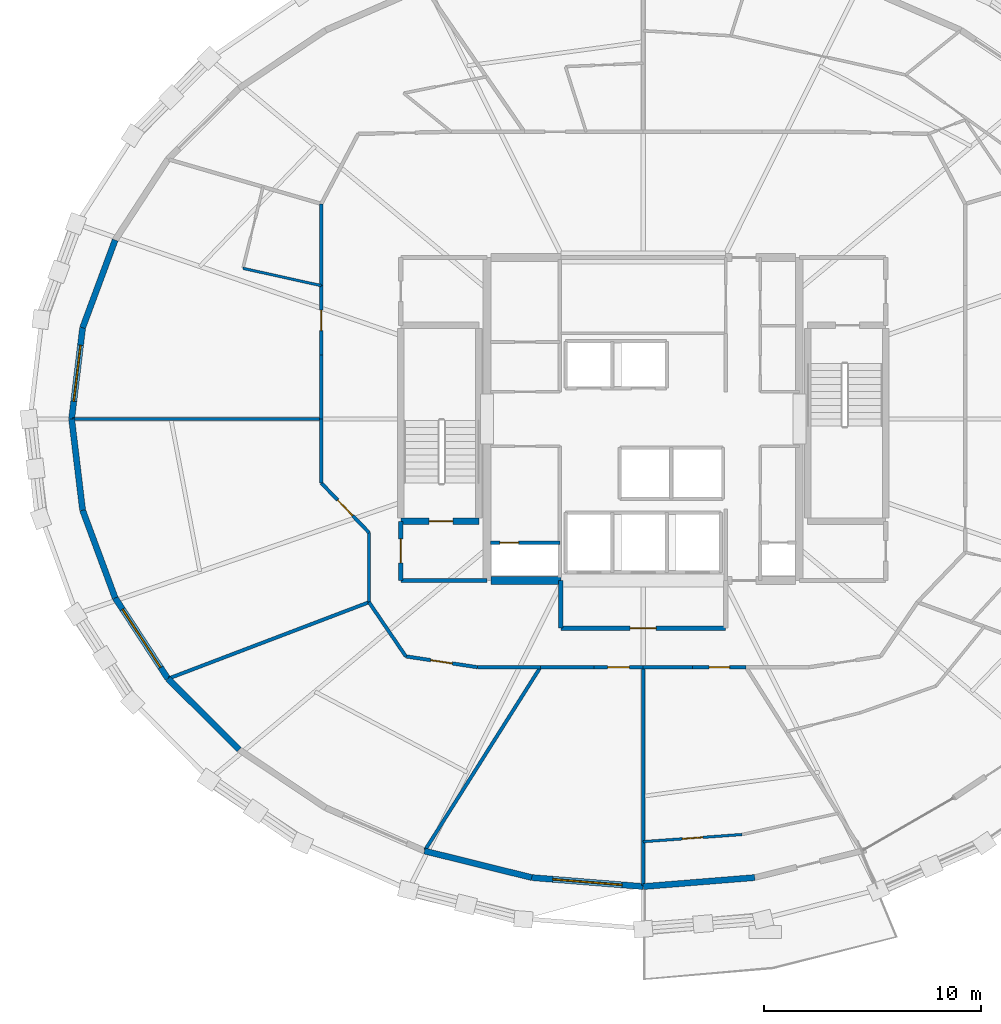
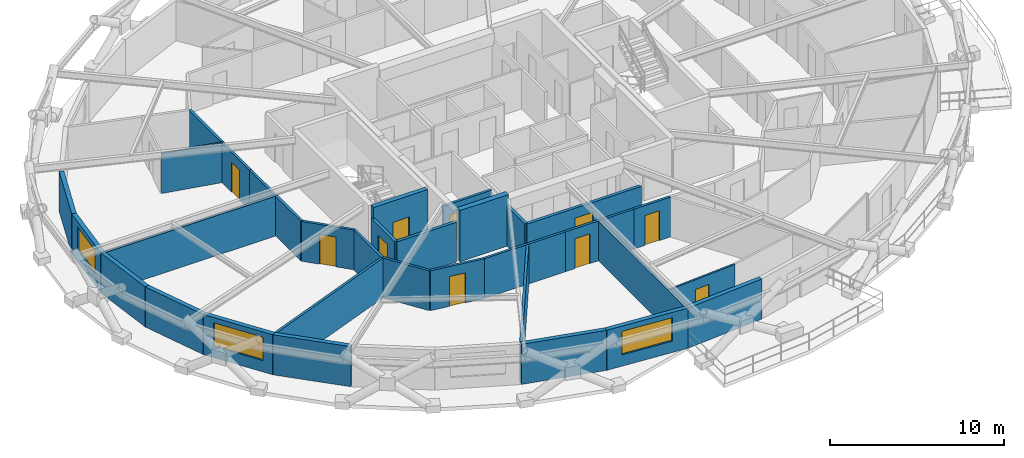
# One storey, part 9 of 14: 35 walls, 10 doors, 3 windows, 13 openings.
"""IFC4 building model written with IfcOpenShell, lengths in metres."""

import ifcopenshell
import ifcopenshell.guid

model = None  # the IFC model being written
_history = None  # IfcOwnerHistory: only IFC2X3 demands one
_inside = {}  # id of a spatial element -> (the spatial element, [elements in it])
_under = {}  # id of a project, library or spatial element -> (it, [spatial elements below it])
_declared = {}  # id of a project -> (the project, [libraries it declares])
_typed = {}  # id of a type object -> (the type object, [elements of that type])
_made_of = {}  # id of a material, layer set ... -> (it, [elements and type objects made of it])


def new_model(schema):
    """Start an empty IFC model of exactly this schema.

    Asked for "IFC4X3", IfcOpenShell would pick the latest addendum, in which some entities
    have other attributes; the version numbers below select the first issue.
    IFC2X3 requires an IfcOwnerHistory on every rooted entity: one is made here for all.
    """
    global model, _history
    if schema == "IFC4X3":
        model = ifcopenshell.file(schema_version=(4, 3, 0, 0))
    else:
        model = ifcopenshell.file(schema=schema)
    _inside.clear()
    _under.clear()
    _declared.clear()
    _typed.clear()
    _made_of.clear()
    _history = None
    if model.schema == "IFC2X3":
        org = make("IfcOrganization", Name="unknown")
        user = make(
            "IfcPersonAndOrganization",
            ThePerson=make("IfcPerson", FamilyName="unknown"),
            TheOrganization=org,
        )
        app = make(
            "IfcApplication",
            ApplicationDeveloper=org,
            Version="unknown",
            ApplicationFullName="unknown",
            ApplicationIdentifier="unknown",
        )
        _history = make(
            "IfcOwnerHistory",
            OwningUser=user,
            OwningApplication=app,
            ChangeAction="ADDED",
            CreationDate=0,
        )
    return model


def make(cls, **values):
    """One entity of the class cls with the attributes given. An attribute that is None is left unset."""
    return model.create_entity(
        cls, **{name: value for name, value in values.items() if value is not None}
    )


def rooted(cls, **values):
    """An entity with a GlobalId (a new one), such as an element, a storey or a relation."""
    return make(cls, GlobalId=ifcopenshell.guid.new(), OwnerHistory=_history, **values)


def si_unit(unit_type, name, prefix=None):
    """IfcSIUnit, for example si_unit("LENGTHUNIT", "METRE", prefix="MILLI")."""
    return make("IfcSIUnit", UnitType=unit_type, Prefix=prefix, Name=name)


def assignment(units):
    """IfcUnitAssignment: the units of a project."""
    return None if units is None else make("IfcUnitAssignment", Units=units)


def point(xyz):
    """IfcCartesianPoint."""
    return None if xyz is None else make("IfcCartesianPoint", Coordinates=xyz)


def direction(xyz):
    """IfcDirection."""
    return None if xyz is None else make("IfcDirection", DirectionRatios=xyz)


def frame(location, z_axis=None, x_axis=None):
    """IfcAxis2Placement3D, a coordinate frame: its origin and axes. An axis left out is left unset."""
    return make(
        "IfcAxis2Placement3D",
        Location=point(location),
        Axis=direction(z_axis),
        RefDirection=direction(x_axis),
    )


def frame_2d(location, x_axis=None):
    """IfcAxis2Placement2D, a coordinate frame in the plane: its origin and x axis."""
    return make(
        "IfcAxis2Placement2D", Location=point(location), RefDirection=direction(x_axis)
    )


def origin():
    """The frame at (0, 0, 0) with its axes left unset."""
    return frame((0.0, 0.0, 0.0))


def place(relative_to, where):
    """IfcLocalPlacement: puts the frame where relative to a parent placement (None: the world)."""
    return make(
        "IfcLocalPlacement", PlacementRelTo=relative_to, RelativePlacement=where
    )


def context(
    kind, dimensions, precision=None, world=None, true_north=None, identifier=None
):
    """IfcGeometricRepresentationContext, for example the 3D "Model" context."""
    return make(
        "IfcGeometricRepresentationContext",
        ContextIdentifier=identifier,
        ContextType=kind,
        CoordinateSpaceDimension=dimensions,
        Precision=precision,
        WorldCoordinateSystem=world,
        TrueNorth=true_north,
    )


def subcontext(parent, identifier, kind, view, scale=None):
    """IfcGeometricRepresentationSubContext, for example "Body" below "Model"."""
    return make(
        "IfcGeometricRepresentationSubContext",
        ContextIdentifier=identifier,
        ContextType=kind,
        ParentContext=parent,
        TargetScale=scale,
        TargetView=view,
    )


def project(units=None, contexts=None):
    """IfcProject with its units and contexts."""
    return rooted(
        "IfcProject",
        Name="project",
        RepresentationContexts=contexts,
        UnitsInContext=assignment(units),
    )


def spatial(cls, under=None, at=None, **own):
    """A site, building, storey or space (cls), placed at a placement, below another one or the project."""
    s = rooted(cls, ObjectPlacement=at, **own)
    if under is not None:
        _under.setdefault(under.id(), (under, []))[1].append(s)
    return s


def profile(cls, at=None, kind="AREA", **sizes):
    """A parametric profile (cls). Its sizes go by their IFC names, for example OverallWidth=200.0."""
    return make(cls, ProfileType=kind, Position=at, **sizes)


def rectangle(**sizes):
    """IfcRectangleProfileDef."""
    return profile("IfcRectangleProfileDef", **sizes)


def extrude(swept, where, along, depth):
    """IfcExtrudedAreaSolid: the profile swept, set in the frame where, extruded along a direction by depth."""
    return make(
        "IfcExtrudedAreaSolid",
        SweptArea=swept,
        Position=where,
        ExtrudedDirection=direction(along),
        Depth=depth,
    )


def shape(context_of_items, identifier, shape_type, items):
    """IfcShapeRepresentation: the items that make up one representation, for example the "Body"."""
    return make(
        "IfcShapeRepresentation",
        ContextOfItems=context_of_items,
        RepresentationIdentifier=identifier,
        RepresentationType=shape_type,
        Items=items,
    )


def material(Name=None, Category=None):
    """IfcMaterial."""
    return make("IfcMaterial", Name=Name, Category=Category)


def layer(
    of_material, thickness, ventilated=None, Name=None, Category=None, Priority=None
):
    """IfcMaterialLayer: one layer of a wall or slab, of a material (None: an air gap)."""
    return make(
        "IfcMaterialLayer",
        Material=of_material,
        LayerThickness=thickness,
        IsVentilated=ventilated,
        Name=Name,
        Category=Category,
        Priority=Priority,
    )


def layer_set(layers, Name=None):
    """IfcMaterialLayerSet."""
    return make("IfcMaterialLayerSet", MaterialLayers=layers, LayerSetName=Name)


def made_of(thing, what):
    """Note that an element or type object is made of a material, layer set ...; save() writes the relation."""
    if what is not None:
        _made_of.setdefault(what.id(), (what, []))[1].append(thing)
    return thing


def type_object(cls, material=None, **own):
    """A type object (cls), such as IfcWallType, which elements share."""
    return made_of(rooted(cls, **own), material)


def element(
    cls,
    number,
    at=None,
    inside=None,
    cuts=None,
    type_object=None,
    material=None,
    context=None,
    identifier="Body",
    shape_type=None,
    held_by="IfcProductDefinitionShape",
    body=None,
    shapes=None,
    **own,
):
    """One element of the class cls, such as IfcWall. Its Tag is "e" and its number.

    at: its placement. inside: the storey or other place that contains it. cuts: it is an
    opening in that element (IfcRelVoidsElement). A single representation is given by context,
    identifier, shape_type and body (its items); several are given by shapes. held_by: the class
    of the entity that holds the representations. save() writes the other relations.
    """
    e = rooted(cls, Tag="e%d" % number, ObjectPlacement=at, **own)
    if body is not None:
        shapes = [shape(context, identifier, shape_type, body)]
    if shapes is not None:
        e.Representation = make(held_by, Representations=shapes)
    if inside is not None:
        _inside.setdefault(inside.id(), (inside, []))[1].append(e)
    if cuts is not None:
        rooted(
            "IfcRelVoidsElement", RelatingBuildingElement=cuts, RelatedOpeningElement=e
        )
    if type_object is not None:
        _typed.setdefault(type_object.id(), (type_object, []))[1].append(e)
    return made_of(e, material)


def fill(opening, filler):
    """IfcRelFillsElement: the door or window that sits in an opening."""
    return rooted(
        "IfcRelFillsElement",
        RelatingOpeningElement=opening,
        RelatedBuildingElement=filler,
    )


def aggregate(whole, parts):
    """IfcRelAggregates: a whole, such as a stair, and the parts it consists of."""
    return rooted("IfcRelAggregates", RelatingObject=whole, RelatedObjects=parts)


def save(model, path):
    """Write the relations noted so far, then the file.

    IfcRelAggregates (storeys below a building ...), IfcRelContainedInSpatialStructure (elements
    in a storey), IfcRelDefinesByType, IfcRelAssociatesMaterial and IfcRelDeclares: one each for
    every whole, place, type object, material and project.
    """
    for whole, parts in _under.values():
        aggregate(whole, parts)
    for where, things in _inside.values():
        rooted(
            "IfcRelContainedInSpatialStructure",
            RelatedElements=things,
            RelatingStructure=where,
        )
    for kind, things in _typed.values():
        rooted("IfcRelDefinesByType", RelatedObjects=things, RelatingType=kind)
    for what, things in _made_of.values():
        rooted("IfcRelAssociatesMaterial", RelatedObjects=things, RelatingMaterial=what)
    for by, libraries in _declared.values():
        rooted("IfcRelDeclares", RelatingContext=by, RelatedDefinitions=libraries)
    model.write(path)


model = new_model("IFC4")

# Units and contexts
model_context = context("Model", 3, precision=1e-05, world=origin(), true_north=direction((0.0, 1.0)))
body_context = subcontext(model_context, "Body", "Model", "MODEL_VIEW")
ifc_project = project(units=[si_unit("LENGTHUNIT", "METRE"), si_unit("AREAUNIT", "SQUARE_METRE"), si_unit("VOLUMEUNIT", "CUBIC_METRE"), si_unit("PLANEANGLEUNIT", "RADIAN"), si_unit("MASSUNIT", "GRAM", prefix="KILO")], contexts=[model_context])

# Site, building, storey
site_placement = place(None, origin())
site = spatial("IfcSite", under=ifc_project, at=site_placement, CompositionType="ELEMENT")
building_placement = place(site_placement, origin())
building = spatial("IfcBuilding", under=site, at=building_placement, Name="Veldorina Hangang Commons", CompositionType="ELEMENT")
storey_placement = place(building_placement, frame((0.0, 0.0, 149.60009765625)))
storey = spatial("IfcBuildingStorey", under=building, at=storey_placement, Name="L38", CompositionType="ELEMENT", Elevation=149.60009765625)

# Walls
ifc_material_1 = material(Name="Concrete C60/75", Category="concrete")
ifc_layer_1 = layer(ifc_material_1, 0.360107421875)
ifc_layer_set_1 = layer_set([ifc_layer_1], Name="Concrete C60/75")
wall_type_1 = type_object("IfcWallType", Name="CW-RC360-C60", PredefinedType="SHEAR", material=ifc_layer_set_1)
wall_1_placement = place(storey_placement, frame((24.97998046875, 16.550048828125, 0.0), z_axis=(0.0, 0.0, 1.0), x_axis=(1.0, 0.0, 0.0)))
element("IfcWall", 1, at=wall_1_placement, inside=storey, type_object=wall_type_1, Name="L38 south-west core shear wall", PredefinedType="SHEAR", context=body_context, shape_type="SweptSolid", body=[
    extrude(rectangle(XDim=3.219970703125, YDim=0.360107421875, at=frame_2d((1.60986328125, 0.0))), origin(), (0.0, 0.0, 1.0), 3.599853515625),
])
ifc_material_2 = material(Name="Stone Roman Travertine", Category="masonry")
ifc_layer_2 = layer(ifc_material_2, 0.280029296875)
ifc_layer_set_2 = layer_set([ifc_layer_2], Name="Stone Roman Travertine")
wall_type_2 = type_object("IfcWallType", Name="EW-TRAV-280", PredefinedType="STANDARD", material=ifc_layer_set_2)
wall_2_placement = place(storey_placement, frame((7.64111328125, 32.253662109375, 0.0), z_axis=(0.0, 0.0, 1.0), x_axis=(-0.347673660549, -0.937615606611, 0.0)))
element("IfcWall", 2, at=wall_2_placement, inside=storey, type_object=wall_type_2, Name="L38 travertine facade wall 14", PredefinedType="STANDARD", context=body_context, shape_type="SweptSolid", body=[
    extrude(rectangle(XDim=4.315185546875, YDim=0.280029296875, at=frame_2d((2.15771484375, 0.0))), origin(), (0.0, 0.0, 1.0), 2.81982421875),
])

# Wall, opening, window
wall_3_placement = place(storey_placement, frame((6.140869140625, 28.207763671875, 0.0), z_axis=(0.0, 0.0, 1.0), x_axis=(-0.119531368207, -0.992830424602, 0.0)))
wall_3 = element("IfcWall", 3, at=wall_3_placement, inside=storey, type_object=wall_type_2, Name="L38 travertine facade wall 15", PredefinedType="STANDARD", context=body_context, shape_type="SweptSolid", body=[
    extrude(rectangle(XDim=4.238037109375, YDim=0.280029296875, at=frame_2d((2.119140625, 0.0))), origin(), (0.0, 0.0, 1.0), 2.81982421875),
])
opening_1_placement = place(wall_3_placement, frame((0.819091796875, 0.0, 0.800048828125)))
opening_1 = element("IfcOpeningElement", 4, at=opening_1_placement, cuts=wall_3, Name="Opening W-02", PredefinedType="OPENING", context=body_context, shape_type="SweptSolid", body=[
    extrude(rectangle(XDim=2.60009765625, YDim=1.64990234375, at=frame_2d((1.300048828125, 0.824951171875))), frame((0.0, 0.14990234375, 0.0), z_axis=(0.0, -1.0, 0.0), x_axis=(1.0, 0.0, 0.0)), (0.0, 0.0, 1.0), 0.300048828125),
])
ifc_material_3 = material(Name="Glass Low-E Triple IGU", Category="glass")
window_type_1 = type_object("IfcWindowType", Name="WIN-TWR-2600", PartitioningType="SINGLE_PANEL", PredefinedType="WINDOW", material=ifc_material_3)
window_1_placement = place(opening_1_placement, origin())
window_1 = element("IfcWindow", 5, at=window_1_placement, inside=storey, type_object=window_type_1, Name="L38 facade window 15", OverallHeight=1.64990234375, OverallWidth=2.60009765625, PartitioningType="SINGLE_PANEL", PredefinedType="WINDOW", context=body_context, shape_type="SweptSolid", body=[
    extrude(rectangle(XDim=2.60009765625, YDim=1.64990234375, at=frame_2d((1.300048828125, 0.824951171875))), frame((0.0, 0.030029296875, 0.0), z_axis=(0.0, -1.0, 0.0), x_axis=(1.0, 0.0, 0.0)), (0.0, 0.0, 1.0), 0.06005859375),
])
fill(opening_1, window_1)

# Walls
wall_4_placement = place(storey_placement, frame((5.63427734375, 24.0, 0.0), z_axis=(0.0, 0.0, 1.0), x_axis=(0.119531368207, -0.992830424602, 0.0)))
element("IfcWall", 6, at=wall_4_placement, inside=storey, type_object=wall_type_2, Name="L38 travertine facade wall 16", PredefinedType="STANDARD", context=body_context, shape_type="SweptSolid", body=[
    extrude(rectangle(XDim=4.238037109375, YDim=0.280029296875, at=frame_2d((2.119140625, 0.0))), origin(), (0.0, 0.0, 1.0), 2.81982421875),
])
wall_5_placement = place(storey_placement, frame((6.140869140625, 19.792236328125, 0.0), z_axis=(0.0, 0.0, 1.0), x_axis=(0.347673660549, -0.937615606611, 0.0)))
element("IfcWall", 7, at=wall_5_placement, inside=storey, type_object=wall_type_2, Name="L38 travertine facade wall 17", PredefinedType="STANDARD", context=body_context, shape_type="SweptSolid", body=[
    extrude(rectangle(XDim=4.315185546875, YDim=0.280029296875, at=frame_2d((2.15771484375, 0.0))), origin(), (0.0, 0.0, 1.0), 2.81982421875),
])

# Wall, opening, window
wall_6_placement = place(storey_placement, frame((7.64111328125, 15.746337890625, 0.0), z_axis=(0.0, 0.0, 1.0), x_axis=(0.547011581396, -0.837125038342, 0.0)))
wall_6 = element("IfcWall", 8, at=wall_6_placement, inside=storey, type_object=wall_type_2, Name="L38 travertine facade wall 18", PredefinedType="STANDARD", context=body_context, shape_type="SweptSolid", body=[
    extrude(rectangle(XDim=4.454345703125, YDim=0.280029296875, at=frame_2d((2.22705078125, 0.0))), origin(), (0.0, 0.0, 1.0), 2.81982421875),
])
opening_2_placement = place(wall_6_placement, frame((0.627197265625, 0.0, 0.800048828125)))
opening_2 = element("IfcOpeningElement", 9, at=opening_2_placement, cuts=wall_6, Name="Opening W-01", PredefinedType="OPENING", context=body_context, shape_type="SweptSolid", body=[
    extrude(rectangle(XDim=3.199951171875, YDim=1.64990234375, at=frame_2d((1.60009765625, 0.824951171875))), frame((0.0, 0.14990234375, 0.0), z_axis=(0.0, -1.0, 0.0), x_axis=(1.0, 0.0, 0.0)), (0.0, 0.0, 1.0), 0.300048828125),
])
window_type_2 = type_object("IfcWindowType", Name="WIN-TWR-3200", PartitioningType="SINGLE_PANEL", PredefinedType="WINDOW", material=ifc_material_3)
window_2_placement = place(opening_2_placement, origin())
window_2 = element("IfcWindow", 10, at=window_2_placement, inside=storey, type_object=window_type_2, Name="L38 facade window 18", OverallHeight=1.64990234375, OverallWidth=3.199951171875, PartitioningType="SINGLE_PANEL", PredefinedType="WINDOW", context=body_context, shape_type="SweptSolid", body=[
    extrude(rectangle(XDim=3.199951171875, YDim=1.64990234375, at=frame_2d((1.60009765625, 0.824951171875))), frame((0.0, 0.030029296875, 0.0), z_axis=(0.0, -1.0, 0.0), x_axis=(1.0, 0.0, 0.0)), (0.0, 0.0, 1.0), 0.06005859375),
])
fill(opening_2, window_2)

# Walls
wall_7_placement = place(storey_placement, frame((10.07763671875, 12.017578125, 0.0), z_axis=(0.0, 0.0, 1.0), x_axis=(0.708239604084, -0.705972140532, 0.0)))
element("IfcWall", 11, at=wall_7_placement, inside=storey, type_object=wall_type_2, Name="L38 travertine facade wall 19", PredefinedType="STANDARD", context=body_context, shape_type="SweptSolid", body=[
    extrude(rectangle(XDim=4.6298828125, YDim=0.280029296875, at=frame_2d((2.31494140625, 0.0))), origin(), (0.0, 0.0, 1.0), 2.81982421875),
])
wall_8_placement = place(storey_placement, frame((21.91015625, 4.07373046875, 0.0), z_axis=(0.0, 0.0, 1.0), x_axis=(0.97056654197, -0.24083311153, 0.0)))
element("IfcWall", 12, at=wall_8_placement, inside=storey, type_object=wall_type_2, Name="L38 travertine facade wall 22", PredefinedType="STANDARD", context=body_context, shape_type="SweptSolid", body=[
    extrude(rectangle(XDim=5.095947265625, YDim=0.280029296875, at=frame_2d((2.5478515625, 0.0))), origin(), (0.0, 0.0, 1.0), 2.81982421875),
])

# Wall, opening, window
wall_9_placement = place(storey_placement, frame((26.856201171875, 2.846435546875, 0.0), z_axis=(0.0, 0.0, 1.0), x_axis=(0.996768172261, -0.080331878898, 0.0)))
wall_9 = element("IfcWall", 13, at=wall_9_placement, inside=storey, type_object=wall_type_2, Name="L38 travertine facade wall 23", PredefinedType="STANDARD", context=body_context, shape_type="SweptSolid", body=[
    extrude(rectangle(XDim=5.160400390625, YDim=0.280029296875, at=frame_2d((2.580078125, 0.0))), origin(), (0.0, 0.0, 1.0), 2.81982421875),
])
opening_3_placement = place(wall_9_placement, frame((0.980224609375, 0.0, 0.800048828125)))
opening_3 = element("IfcOpeningElement", 14, at=opening_3_placement, cuts=wall_9, Name="Opening W-01", PredefinedType="OPENING", context=body_context, shape_type="SweptSolid", body=[
    extrude(rectangle(XDim=3.199951171875, YDim=1.64990234375, at=frame_2d((1.60009765625, 0.824951171875))), frame((0.0, 0.14990234375, 0.0), z_axis=(0.0, -1.0, 0.0), x_axis=(1.0, 0.0, 0.0)), (0.0, 0.0, 1.0), 0.300048828125),
])
window_3_placement = place(opening_3_placement, origin())
window_3 = element("IfcWindow", 15, at=window_3_placement, inside=storey, type_object=window_type_2, Name="L38 facade window 23", OverallHeight=1.64990234375, OverallWidth=3.199951171875, PartitioningType="SINGLE_PANEL", PredefinedType="WINDOW", context=body_context, shape_type="SweptSolid", body=[
    extrude(rectangle(XDim=3.199951171875, YDim=1.64990234375, at=frame_2d((1.60009765625, 0.824951171875))), frame((0.0, 0.030029296875, 0.0), z_axis=(0.0, -1.0, 0.0), x_axis=(1.0, 0.0, 0.0)), (0.0, 0.0, 1.0), 0.06005859375),
])
fill(opening_3, window_3)

# Wall
wall_10_placement = place(storey_placement, frame((32.0, 2.431884765625, 0.0), z_axis=(0.0, 0.0, 1.0), x_axis=(0.996768172261, 0.080331878898, 0.0)))
element("IfcWall", 16, at=wall_10_placement, inside=storey, type_object=wall_type_2, Name="L38 travertine facade wall 24", PredefinedType="STANDARD", context=body_context, shape_type="SweptSolid", body=[
    extrude(rectangle(XDim=5.160400390625, YDim=0.280029296875, at=frame_2d((2.580078125, 0.0))), origin(), (0.0, 0.0, 1.0), 2.81982421875),
])

# Wall, opening, door
ifc_material_4 = material(Name="Concrete C50/60", Category="concrete")
ifc_layer_3 = layer(ifc_material_4, 0.300048828125)
ifc_layer_set_3 = layer_set([ifc_layer_3], Name="Concrete C50/60")
wall_type_3 = type_object("IfcWallType", Name="SW-STAIR-300", PredefinedType="SHEAR", material=ifc_layer_set_3)
wall_11_placement = place(storey_placement, frame((20.820068359375, 19.280029296875, 0.0), z_axis=(0.0, 0.0, 1.0), x_axis=(1.0, 0.0, 0.0)))
wall_11 = element("IfcWall", 17, at=wall_11_placement, inside=storey, type_object=wall_type_3, Name="L38 ST1 south stair shear wall", PredefinedType="SHEAR", context=body_context, shape_type="SweptSolid", body=[
    extrude(rectangle(XDim=3.599853515625, YDim=0.300048828125, at=frame_2d((1.7998046875, 0.0))), origin(), (0.0, 0.0, 1.0), 3.599853515625),
])
opening_4_placement = place(wall_11_placement, frame((1.300048828125, 0.0, 0.0)))
opening_4 = element("IfcOpeningElement", 18, at=opening_4_placement, cuts=wall_11, Name="Opening D-08", PredefinedType="OPENING", context=body_context, shape_type="SweptSolid", body=[
    extrude(rectangle(XDim=1.10009765625, YDim=2.10009765625, at=frame_2d((0.550048828125, 1.050048828125))), frame((0.0, 0.16015625, 0.0), z_axis=(0.0, -1.0, 0.0), x_axis=(1.0, 0.0, 0.0)), (0.0, 0.0, 1.0), 0.320068359375),
])
ifc_material_5 = material(Name="Steel Fire-Rated Smoke Seal", Category="steel")
door_type_1 = type_object("IfcDoorType", Name="DR-FIRE-1100", OperationType="SINGLE_SWING_RIGHT", PredefinedType="DOOR", material=ifc_material_5)
door_1_placement = place(opening_4_placement, origin())
door_1 = element("IfcDoor", 19, at=door_1_placement, inside=storey, type_object=door_type_1, Name="L38 Special Escape Stair ST-1 door", OperationType="SINGLE_SWING_LEFT", OverallHeight=2.10009765625, OverallWidth=1.10009765625, PredefinedType="DOOR", context=body_context, shape_type="SweptSolid", body=[
    extrude(rectangle(XDim=1.10009765625, YDim=2.10009765625, at=frame_2d((0.550048828125, 1.050048828125))), frame((0.0, 0.02490234375, 0.0), z_axis=(0.0, -1.0, 0.0), x_axis=(1.0, 0.0, 0.0)), (0.0, 0.0, 1.0), 0.050048828125),
])
fill(opening_4, door_1)

ifc_material_6 = material(Name="Gypsum Fire-Rated Twin Stud Wall", Category="gypsum")
ifc_layer_4 = layer(ifc_material_6, 0.159912109375)
ifc_layer_set_4 = layer_set([ifc_layer_4], Name="Gypsum Fire-Rated Twin Stud Wall")
wall_type_4 = type_object("IfcWallType", Name="WL-FIRE-160", PredefinedType="SOLIDWALL", material=ifc_layer_set_4)
wall_12_placement = place(storey_placement, frame((24.949951171875, 18.300048828125, 0.0), z_axis=(0.0, 0.0, 1.0), x_axis=(1.0, 0.0, 0.0)))
wall_12 = element("IfcWall", 20, at=wall_12_placement, inside=storey, type_object=wall_type_4, Name="L38 Electrical riser wall 034", PredefinedType="SOLIDWALL", context=body_context, shape_type="SweptSolid", body=[
    extrude(rectangle(XDim=3.199951171875, YDim=0.159912109375, at=frame_2d((1.60009765625, 0.0))), origin(), (0.0, 0.0, 1.0), 2.7998046875),
])
opening_5_placement = place(wall_12_placement, frame((0.43994140625, 0.0, 0.0)))
opening_5 = element("IfcOpeningElement", 21, at=opening_5_placement, cuts=wall_12, Name="Opening D-12", PredefinedType="OPENING", context=body_context, shape_type="SweptSolid", body=[
    extrude(rectangle(XDim=0.860107421875, YDim=2.050048828125, at=frame_2d((0.43017578125, 1.02490234375))), frame((0.0, 0.08984375, 0.0), z_axis=(0.0, -1.0, 0.0), x_axis=(1.0, 0.0, 0.0)), (0.0, 0.0, 1.0), 0.179931640625),
])
ifc_material_7 = material(Name="Steel Insulated Riser Access", Category="steel")
door_type_2 = type_object("IfcDoorType", Name="DR-TRAP-860", OperationType="SINGLE_SWING_LEFT", PredefinedType="TRAPDOOR", material=ifc_material_7)
door_2_placement = place(opening_5_placement, origin())
door_2 = element("IfcDoor", 22, at=door_2_placement, inside=storey, type_object=door_type_2, Name="L38 Electrical riser access door 012", OperationType="SINGLE_SWING_RIGHT", OverallHeight=2.050048828125, OverallWidth=0.860107421875, PredefinedType="TRAPDOOR", context=body_context, shape_type="SweptSolid", body=[
    extrude(rectangle(XDim=0.860107421875, YDim=2.050048828125, at=frame_2d((0.43017578125, 1.02490234375))), frame((0.0, 0.02490234375, 0.0), z_axis=(0.0, -1.0, 0.0), x_axis=(1.0, 0.0, 0.0)), (0.0, 0.0, 1.0), 0.050048828125),
])
fill(opening_5, door_2)

# Wall
wall_13_placement = place(storey_placement, frame((17.14990234375, 33.922607421875, 0.0), z_axis=(0.0, 0.0, 1.0), x_axis=(0.0, -1.0, 0.0)))
element("IfcWall", 23, at=wall_13_placement, inside=storey, type_object=wall_type_4, Name="L38 U-corridor outer wall 13 059", PredefinedType="SOLIDWALL", context=body_context, shape_type="SweptSolid", body=[
    extrude(rectangle(XDim=3.771484375, YDim=0.159912109375, at=frame_2d((1.8857421875, 0.0))), origin(), (0.0, 0.0, 1.0), 2.7998046875),
])

# Wall, opening, door
wall_14_placement = place(storey_placement, frame((17.14990234375, 30.151123046875, 0.0), z_axis=(0.0, 0.0, 1.0), x_axis=(0.0, -1.0, 0.0)))
wall_14 = element("IfcWall", 24, at=wall_14_placement, inside=storey, type_object=wall_type_4, Name="L38 U-corridor outer wall 14 060", PredefinedType="SOLIDWALL", context=body_context, shape_type="SweptSolid", body=[
    extrude(rectangle(XDim=3.197265625, YDim=0.159912109375, at=frame_2d((1.5986328125, 0.0))), origin(), (0.0, 0.0, 1.0), 2.7998046875),
])
opening_6_placement = place(wall_14_placement, frame((1.123779296875, 0.0, 0.0)))
opening_6 = element("IfcOpeningElement", 25, at=opening_6_placement, cuts=wall_14, Name="Opening D-03", PredefinedType="OPENING", context=body_context, shape_type="SweptSolid", body=[
    extrude(rectangle(XDim=0.949951171875, YDim=2.10009765625, at=frame_2d((0.47509765625, 1.050048828125))), frame((0.0, 0.08984375, 0.0), z_axis=(0.0, -1.0, 0.0), x_axis=(1.0, 0.0, 0.0)), (0.0, 0.0, 1.0), 0.179931640625),
])
ifc_material_8 = material(Name="Timber Fire-Rated Entrance Core", Category="wood")
door_type_3 = type_object("IfcDoorType", Name="DR-UNIT-950", OperationType="SINGLE_SWING_RIGHT", PredefinedType="DOOR", material=ifc_material_8)
door_3_placement = place(opening_6_placement, origin())
door_3 = element("IfcDoor", 26, at=door_3_placement, inside=storey, type_object=door_type_3, Name="L38 Studio 6 entrance door 040", OperationType="SINGLE_SWING_RIGHT", OverallHeight=2.10009765625, OverallWidth=0.949951171875, PredefinedType="DOOR", context=body_context, shape_type="SweptSolid", body=[
    extrude(rectangle(XDim=0.949951171875, YDim=2.10009765625, at=frame_2d((0.47509765625, 1.050048828125))), frame((0.0, 0.02490234375, 0.0), z_axis=(0.0, -1.0, 0.0), x_axis=(1.0, 0.0, 0.0)), (0.0, 0.0, 1.0), 0.050048828125),
])
fill(opening_6, door_3)

# Walls
for number, where, z_axis, x_axis, name in (
    (27, (17.14990234375, 26.953857421875, 0.0), (0.0, 0.0, 1.0), (0.0, -1.0, 0.0), "L38 U-corridor outer wall 15 061"),
    (28, (17.14990234375, 24.0, 0.0), (0.0, 0.0, 1.0), (0.0, -1.0, 0.0), "L38 U-corridor outer wall 16 062"),
):
    element("IfcWall", number, at=place(storey_placement, frame(where, z_axis=z_axis, x_axis=x_axis)), inside=storey, type_object=wall_type_4, Name=name, PredefinedType="SOLIDWALL", context=body_context, shape_type="SweptSolid", body=[
        extrude(rectangle(XDim=2.953857421875, YDim=0.159912109375, at=frame_2d((1.47705078125, 0.0))), origin(), (0.0, 0.0, 1.0), 2.7998046875),
    ])

# Wall, opening, door
wall_15_placement = place(storey_placement, frame((17.14990234375, 21.046142578125, 0.0), z_axis=(0.0, 0.0, 1.0), x_axis=(0.693473090138, -0.72048252807, 0.0)))
wall_15 = element("IfcWall", 29, at=wall_15_placement, inside=storey, type_object=wall_type_4, Name="L38 U-corridor outer wall 17 063", PredefinedType="SOLIDWALL", context=body_context, shape_type="SweptSolid", body=[
    extrude(rectangle(XDim=3.172607421875, YDim=0.159912109375, at=frame_2d((1.58642578125, 0.0))), origin(), (0.0, 0.0, 1.0), 2.7998046875),
])
opening_7_placement = place(wall_15_placement, frame((1.086181640625, 0.0, 0.0)))
opening_7 = element("IfcOpeningElement", 30, at=opening_7_placement, cuts=wall_15, Name="Opening D-05", PredefinedType="OPENING", context=body_context, shape_type="SweptSolid", body=[
    extrude(rectangle(XDim=1.0, YDim=2.10009765625, at=frame_2d((0.5, 1.050048828125))), frame((0.0, 0.08984375, 0.0), z_axis=(0.0, -1.0, 0.0), x_axis=(1.0, 0.0, 0.0)), (0.0, 0.0, 1.0), 0.179931640625),
])
ifc_material_9 = material(Name="Timber Solid Core Acoustic", Category="wood")
door_type_4 = type_object("IfcDoorType", Name="DR-INT-1000", OperationType="SINGLE_SWING_RIGHT", PredefinedType="DOOR", material=ifc_material_9)
door_4_placement = place(opening_7_placement, origin())
door_4 = element("IfcDoor", 31, at=door_4_placement, inside=storey, type_object=door_type_4, Name="L38 Floor Study Room 7 door 041", OperationType="SINGLE_SWING_LEFT", OverallHeight=2.10009765625, OverallWidth=1.0, PredefinedType="DOOR", context=body_context, shape_type="SweptSolid", body=[
    extrude(rectangle(XDim=1.0, YDim=2.10009765625, at=frame_2d((0.5, 1.050048828125))), frame((0.0, 0.02490234375, 0.0), z_axis=(0.0, -1.0, 0.0), x_axis=(1.0, 0.0, 0.0)), (0.0, 0.0, 1.0), 0.050048828125),
])
fill(opening_7, door_4)

# Walls
wall_16_placement = place(storey_placement, frame((19.35009765625, 18.76025390625, 0.0), z_axis=(0.0, 0.0, 1.0), x_axis=(0.0, -1.0, 0.0)))
element("IfcWall", 32, at=wall_16_placement, inside=storey, type_object=wall_type_4, Name="L38 U-corridor outer wall 18 064", PredefinedType="SOLIDWALL", context=body_context, shape_type="SweptSolid", body=[
    extrude(rectangle(XDim=3.212646484375, YDim=0.159912109375, at=frame_2d((1.6064453125, 0.0))), origin(), (0.0, 0.0, 1.0), 2.7998046875),
])
wall_17_placement = place(storey_placement, frame((19.35009765625, 15.547607421875, 0.0), z_axis=(0.0, 0.0, 1.0), x_axis=(0.562674669208, -0.826678423955, 0.0)))
element("IfcWall", 33, at=wall_17_placement, inside=storey, type_object=wall_type_4, Name="L38 U-corridor outer wall 19 065", PredefinedType="SOLIDWALL", context=body_context, shape_type="SweptSolid", body=[
    extrude(rectangle(XDim=3.021240234375, YDim=0.159912109375, at=frame_2d((1.5107421875, 0.0))), origin(), (0.0, 0.0, 1.0), 2.7998046875),
])

# Wall, opening, door
wall_18_placement = place(storey_placement, frame((21.050048828125, 13.050048828125, 0.0), z_axis=(0.0, 0.0, 1.0), x_axis=(0.988710906508, -0.149835721217, 0.0)))
wall_18 = element("IfcWall", 34, at=wall_18_placement, inside=storey, type_object=wall_type_4, Name="L38 U-corridor outer wall 20 066", PredefinedType="SOLIDWALL", context=body_context, shape_type="SweptSolid", body=[
    extrude(rectangle(XDim=3.3369140625, YDim=0.159912109375, at=frame_2d((1.66845703125, 0.0))), origin(), (0.0, 0.0, 1.0), 2.7998046875),
])
opening_8_placement = place(wall_18_placement, frame((1.16845703125, 0.0, 0.0)))
opening_8 = element("IfcOpeningElement", 35, at=opening_8_placement, cuts=wall_18, Name="Opening D-05", PredefinedType="OPENING", context=body_context, shape_type="SweptSolid", body=[
    extrude(rectangle(XDim=1.0, YDim=2.10009765625, at=frame_2d((0.5, 1.050048828125))), frame((0.0, 0.08984375, 0.0), z_axis=(0.0, -1.0, 0.0), x_axis=(1.0, 0.0, 0.0)), (0.0, 0.0, 1.0), 0.179931640625),
])
door_5_placement = place(opening_8_placement, origin())
door_5 = element("IfcDoor", 36, at=door_5_placement, inside=storey, type_object=door_type_4, Name="L38 Seminar Focus Room 8 door 042", OperationType="SINGLE_SWING_RIGHT", OverallHeight=2.10009765625, OverallWidth=1.0, PredefinedType="DOOR", context=body_context, shape_type="SweptSolid", body=[
    extrude(rectangle(XDim=1.0, YDim=2.10009765625, at=frame_2d((0.5, 1.050048828125))), frame((0.0, 0.02490234375, 0.0), z_axis=(0.0, -1.0, 0.0), x_axis=(1.0, 0.0, 0.0)), (0.0, 0.0, 1.0), 0.050048828125),
])
fill(opening_8, door_5)

# Walls
wall_19_placement = place(storey_placement, frame((24.349365234375, 12.550048828125, 0.0), z_axis=(0.0, 0.0, 1.0), x_axis=(1.0, 0.0, 0.0)))
element("IfcWall", 37, at=wall_19_placement, inside=storey, type_object=wall_type_4, Name="L38 U-corridor outer wall 21 067", PredefinedType="SOLIDWALL", context=body_context, shape_type="SweptSolid", body=[
    extrude(rectangle(XDim=2.907958984375, YDim=0.159912109375, at=frame_2d((1.4541015625, 0.0))), origin(), (0.0, 0.0, 1.0), 2.7998046875),
])
wall_20_placement = place(storey_placement, frame((27.25732421875, 12.550048828125, 0.0), z_axis=(0.0, 0.0, 1.0), x_axis=(1.0, 0.0, 0.0)))
element("IfcWall", 38, at=wall_20_placement, inside=storey, type_object=wall_type_4, Name="L38 U-corridor outer wall 22 068", PredefinedType="SOLIDWALL", context=body_context, shape_type="SweptSolid", body=[
    extrude(rectangle(XDim=2.465087890625, YDim=0.159912109375, at=frame_2d((1.232421875, 0.0))), origin(), (0.0, 0.0, 1.0), 2.7998046875),
])

# Wall, opening, door
wall_21_placement = place(storey_placement, frame((29.722412109375, 12.550048828125, 0.0), z_axis=(0.0, 0.0, 1.0), x_axis=(1.0, 0.0, 0.0)))
wall_21 = element("IfcWall", 39, at=wall_21_placement, inside=storey, type_object=wall_type_4, Name="L38 U-corridor outer wall 23 069", PredefinedType="SOLIDWALL", context=body_context, shape_type="SweptSolid", body=[
    extrude(rectangle(XDim=2.277587890625, YDim=0.159912109375, at=frame_2d((1.138671875, 0.0))), origin(), (0.0, 0.0, 1.0), 2.7998046875),
])
opening_9_placement = place(wall_21_placement, frame((0.638671875, 0.0, 0.0)))
opening_9 = element("IfcOpeningElement", 40, at=opening_9_placement, cuts=wall_21, Name="Opening D-05", PredefinedType="OPENING", context=body_context, shape_type="SweptSolid", body=[
    extrude(rectangle(XDim=1.0, YDim=2.10009765625, at=frame_2d((0.5, 1.050048828125))), frame((0.0, 0.08984375, 0.0), z_axis=(0.0, -1.0, 0.0), x_axis=(1.0, 0.0, 0.0)), (0.0, 0.0, 1.0), 0.179931640625),
])
door_6_placement = place(opening_9_placement, origin())
door_6 = element("IfcDoor", 41, at=door_6_placement, inside=storey, type_object=door_type_4, Name="L38 Seminar Focus Room 9 door 043", OperationType="SINGLE_SWING_LEFT", OverallHeight=2.10009765625, OverallWidth=1.0, PredefinedType="DOOR", context=body_context, shape_type="SweptSolid", body=[
    extrude(rectangle(XDim=1.0, YDim=2.10009765625, at=frame_2d((0.5, 1.050048828125))), frame((0.0, 0.02490234375, 0.0), z_axis=(0.0, -1.0, 0.0), x_axis=(1.0, 0.0, 0.0)), (0.0, 0.0, 1.0), 0.050048828125),
])
fill(opening_9, door_6)

# Wall
wall_22_placement = place(storey_placement, frame((32.0, 12.550048828125, 0.0), z_axis=(0.0, 0.0, 1.0), x_axis=(1.0, 0.0, 0.0)))
element("IfcWall", 42, at=wall_22_placement, inside=storey, type_object=wall_type_4, Name="L38 U-corridor outer wall 24 070", PredefinedType="SOLIDWALL", context=body_context, shape_type="SweptSolid", body=[
    extrude(rectangle(XDim=2.277587890625, YDim=0.159912109375, at=frame_2d((1.138671875, 0.0))), origin(), (0.0, 0.0, 1.0), 2.7998046875),
])

# Wall, opening, door
wall_23_placement = place(storey_placement, frame((34.277587890625, 12.550048828125, 0.0), z_axis=(0.0, 0.0, 1.0), x_axis=(1.0, 0.0, 0.0)))
wall_23 = element("IfcWall", 43, at=wall_23_placement, inside=storey, type_object=wall_type_4, Name="L38 U-corridor outer wall 25 071", PredefinedType="SOLIDWALL", context=body_context, shape_type="SweptSolid", body=[
    extrude(rectangle(XDim=2.465087890625, YDim=0.159912109375, at=frame_2d((1.232421875, 0.0))), origin(), (0.0, 0.0, 1.0), 2.7998046875),
])
opening_10_placement = place(wall_23_placement, frame((0.757568359375, 0.0, 0.0)))
opening_10 = element("IfcOpeningElement", 44, at=opening_10_placement, cuts=wall_23, Name="Opening D-02", PredefinedType="OPENING", context=body_context, shape_type="SweptSolid", body=[
    extrude(rectangle(XDim=0.949951171875, YDim=2.10009765625, at=frame_2d((0.47509765625, 1.050048828125))), frame((0.0, 0.08984375, 0.0), z_axis=(0.0, -1.0, 0.0), x_axis=(1.0, 0.0, 0.0)), (0.0, 0.0, 1.0), 0.179931640625),
])
door_type_5 = type_object("IfcDoorType", Name="DR-INT-950", OperationType="SINGLE_SWING_LEFT", PredefinedType="DOOR", material=ifc_material_9)
door_7_placement = place(opening_10_placement, origin())
door_7 = element("IfcDoor", 45, at=door_7_placement, inside=storey, type_object=door_type_5, Name="L38 Linen drying store door 044", OperationType="SINGLE_SWING_RIGHT", OverallHeight=2.10009765625, OverallWidth=0.949951171875, PredefinedType="DOOR", context=body_context, shape_type="SweptSolid", body=[
    extrude(rectangle(XDim=0.949951171875, YDim=2.10009765625, at=frame_2d((0.47509765625, 1.050048828125))), frame((0.0, 0.02490234375, 0.0), z_axis=(0.0, -1.0, 0.0), x_axis=(1.0, 0.0, 0.0)), (0.0, 0.0, 1.0), 0.050048828125),
])
fill(opening_10, door_7)

# Walls
wall_24_placement = place(storey_placement, frame((17.14990234375, 24.0, 0.0), z_axis=(0.0, 0.0, 1.0), x_axis=(-1.0, 0.0, 0.0)))
element("IfcWall", 46, at=wall_24_placement, inside=storey, type_object=wall_type_4, Name="L38 Unit party wall 16 113", PredefinedType="SOLIDWALL", context=body_context, shape_type="SweptSolid", body=[
    extrude(rectangle(XDim=11.4658203125, YDim=0.159912109375, at=frame_2d((5.73291015625, 0.0))), origin(), (0.0, 0.0, 1.0), 2.7998046875),
])
wall_25_placement = place(storey_placement, frame((19.35009765625, 15.547607421875, 0.0), z_axis=(0.0, 0.0, 1.0), x_axis=(-0.934568417975, -0.355783462409, 0.0)))
element("IfcWall", 47, at=wall_25_placement, inside=storey, type_object=wall_type_4, Name="L38 Unit party wall 19 114", PredefinedType="SOLIDWALL", context=body_context, shape_type="SweptSolid", body=[
    extrude(rectangle(XDim=9.871826171875, YDim=0.159912109375, at=frame_2d((4.93603515625, 0.0))), origin(), (0.0, 0.0, 1.0), 2.7998046875),
])
wall_26_placement = place(storey_placement, frame((27.25732421875, 12.550048828125, 0.0), z_axis=(0.0, 0.0, 1.0), x_axis=(-0.533539707284, -0.84577501781, 0.0)))
element("IfcWall", 48, at=wall_26_placement, inside=storey, type_object=wall_type_4, Name="L38 Unit party wall 22 115", PredefinedType="SOLIDWALL", context=body_context, shape_type="SweptSolid", body=[
    extrude(rectangle(XDim=9.9716796875, YDim=0.159912109375, at=frame_2d((4.98583984375, 0.0))), origin(), (0.0, 0.0, 1.0), 2.7998046875),
])
wall_27_placement = place(storey_placement, frame((32.0, 12.550048828125, 0.0), z_axis=(0.0, 0.0, 1.0), x_axis=(0.0, -1.0, 0.0)))
element("IfcWall", 49, at=wall_27_placement, inside=storey, type_object=wall_type_4, Name="L38 Unit party wall 24 116", PredefinedType="SOLIDWALL", context=body_context, shape_type="SweptSolid", body=[
    extrude(rectangle(XDim=10.068115234375, YDim=0.159912109375, at=frame_2d((5.0341796875, 0.0))), origin(), (0.0, 0.0, 1.0), 2.7998046875),
])

# Wall, opening, door
ifc_material_10 = material(Name="Concrete Blockwork Fire Wall C30/37", Category="masonry")
ifc_layer_5 = layer(ifc_material_10, 0.199951171875)
ifc_layer_set_5 = layer_set([ifc_layer_5], Name="Concrete Blockwork Fire Wall C30/37")
wall_type_5 = type_object("IfcWallType", Name="WL-FIRE-200", PredefinedType="SOLIDWALL", material=ifc_layer_set_5)
wall_28_placement = place(storey_placement, frame((20.820068359375, 16.550048828125, 0.0), z_axis=(0.0, 0.0, 1.0), x_axis=(0.0, 1.0, 0.0)))
wall_28 = element("IfcWall", 50, at=wall_28_placement, inside=storey, type_object=wall_type_5, Name="L38 West vestibule outer wall 001", PredefinedType="SOLIDWALL", context=body_context, shape_type="SweptSolid", body=[
    extrude(rectangle(XDim=2.72998046875, YDim=0.199951171875, at=frame_2d((1.364990234375, 0.0))), origin(), (0.0, 0.0, 1.0), 2.7998046875),
])
opening_11_placement = place(wall_28_placement, frame((0.81494140625, 0.0, 0.0)))
opening_11 = element("IfcOpeningElement", 51, at=opening_11_placement, cuts=wall_28, Name="Opening D-08", PredefinedType="OPENING", context=body_context, shape_type="SweptSolid", body=[
    extrude(rectangle(XDim=1.10009765625, YDim=2.10009765625, at=frame_2d((0.550048828125, 1.050048828125))), frame((0.0, 0.10986328125, 0.0), z_axis=(0.0, -1.0, 0.0), x_axis=(1.0, 0.0, 0.0)), (0.0, 0.0, 1.0), 0.219970703125),
])
door_8_placement = place(opening_11_placement, origin())
door_8 = element("IfcDoor", 52, at=door_8_placement, inside=storey, type_object=door_type_1, Name="L38 West vestibule west door 001", OperationType="SINGLE_SWING_LEFT", OverallHeight=2.10009765625, OverallWidth=1.10009765625, PredefinedType="DOOR", context=body_context, shape_type="SweptSolid", body=[
    extrude(rectangle(XDim=1.10009765625, YDim=2.10009765625, at=frame_2d((0.550048828125, 1.050048828125))), frame((0.0, 0.02490234375, 0.0), z_axis=(0.0, -1.0, 0.0), x_axis=(1.0, 0.0, 0.0)), (0.0, 0.0, 1.0), 0.050048828125),
])
fill(opening_11, door_8)

# Walls
wall_29_placement = place(storey_placement, frame((20.820068359375, 16.550048828125, 0.0), z_axis=(0.0, 0.0, 1.0), x_axis=(1.0, 0.0, 0.0)))
element("IfcWall", 53, at=wall_29_placement, inside=storey, type_object=wall_type_5, Name="L38 West vestibule south wall 002", PredefinedType="SOLIDWALL", context=body_context, shape_type="SweptSolid", body=[
    extrude(rectangle(XDim=3.97998046875, YDim=0.199951171875, at=frame_2d((1.989990234375, 0.0))), origin(), (0.0, 0.0, 1.0), 2.7998046875),
])
wall_30_placement = place(storey_placement, frame((28.199951171875, 14.35009765625, 0.0), z_axis=(0.0, 0.0, 1.0), x_axis=(0.0, 1.0, 0.0)))
element("IfcWall", 54, at=wall_30_placement, inside=storey, type_object=wall_type_5, Name="L38 FF lobby west wall 012", PredefinedType="SOLIDWALL", context=body_context, shape_type="SweptSolid", body=[
    extrude(rectangle(XDim=2.199951171875, YDim=0.199951171875, at=frame_2d((1.10009765625, 0.0))), origin(), (0.0, 0.0, 1.0), 2.7998046875),
])

# Wall, opening, door
wall_31_placement = place(storey_placement, frame((28.199951171875, 14.35009765625, 0.0), z_axis=(0.0, 0.0, 1.0), x_axis=(1.0, 0.0, 0.0)))
wall_31 = element("IfcWall", 55, at=wall_31_placement, inside=storey, type_object=wall_type_5, Name="L38 FF lobby south wall 014", PredefinedType="SOLIDWALL", context=body_context, shape_type="SweptSolid", body=[
    extrude(rectangle(XDim=7.60009765625, YDim=0.199951171875, at=frame_2d((3.800048828125, 0.0))), origin(), (0.0, 0.0, 1.0), 2.7998046875),
])
opening_12_placement = place(wall_31_placement, frame((3.199951171875, 0.0, 0.0)))
opening_12 = element("IfcOpeningElement", 56, at=opening_12_placement, cuts=wall_31, Name="Opening D-09", PredefinedType="OPENING", context=body_context, shape_type="SweptSolid", body=[
    extrude(rectangle(XDim=1.199951171875, YDim=2.10009765625, at=frame_2d((0.60009765625, 1.050048828125))), frame((0.0, 0.10986328125, 0.0), z_axis=(0.0, -1.0, 0.0), x_axis=(1.0, 0.0, 0.0)), (0.0, 0.0, 1.0), 0.219970703125),
])
ifc_material_11 = material(Name="Steel Fire-Rated Corridor Door", Category="steel")
door_type_6 = type_object("IfcDoorType", Name="DR-FIRE-1200", OperationType="SINGLE_SWING_LEFT", PredefinedType="DOOR", material=ifc_material_11)
door_9_placement = place(opening_12_placement, origin())
door_9 = element("IfcDoor", 57, at=door_9_placement, inside=storey, type_object=door_type_6, Name="L38 FF lobby south corridor door 005", OperationType="SINGLE_SWING_LEFT", OverallHeight=2.10009765625, OverallWidth=1.199951171875, PredefinedType="DOOR", context=body_context, shape_type="SweptSolid", body=[
    extrude(rectangle(XDim=1.199951171875, YDim=2.10009765625, at=frame_2d((0.60009765625, 1.050048828125))), frame((0.0, 0.02490234375, 0.0), z_axis=(0.0, -1.0, 0.0), x_axis=(1.0, 0.0, 0.0)), (0.0, 0.0, 1.0), 0.050048828125),
])
fill(opening_12, door_9)

# Wall
ifc_material_12 = material(Name="Gypsum Acoustic Stud Partition", Category="gypsum")
ifc_layer_6 = layer(ifc_material_12, 0.1201171875)
ifc_layer_set_6 = layer_set([ifc_layer_6], Name="Gypsum Acoustic Stud Partition")
wall_type_6 = type_object("IfcWallType", Name="WL-PART-120", PredefinedType="PARTITIONING", material=ifc_layer_set_6)
wall_32_placement = place(storey_placement, frame((17.14990234375, 30.151123046875, 0.0), z_axis=(0.0, 0.0, 1.0), x_axis=(-0.976408530685, 0.21593142709, 0.0)))
element("IfcWall", 58, at=wall_32_placement, inside=storey, type_object=wall_type_6, Name="L38 Studio 6 bath side wall 112", PredefinedType="PARTITIONING", context=body_context, shape_type="SweptSolid", body=[
    extrude(rectangle(XDim=3.70068359375, YDim=0.1201171875, at=frame_2d((1.850341796875, 0.0))), origin(), (0.0, 0.0, 1.0), 2.7998046875),
])

# Wall, opening, door
wall_33_placement = place(storey_placement, frame((32.0, 4.503173828125, 0.0), z_axis=(0.0, 0.0, 1.0), x_axis=(0.997394556416, 0.072139440191, 0.0)))
wall_33 = element("IfcWall", 59, at=wall_33_placement, inside=storey, type_object=wall_type_6, Name="L38 Laundry split 0 117", PredefinedType="PARTITIONING", context=body_context, shape_type="SweptSolid", body=[
    extrude(rectangle(XDim=4.56884765625, YDim=0.1201171875, at=frame_2d((2.284423828125, 0.0))), origin(), (0.0, 0.0, 1.0), 2.7998046875),
])
opening_13_placement = place(wall_33_placement, frame((1.8095703125, 0.0, 0.0)))
opening_13 = element("IfcOpeningElement", 60, at=opening_13_placement, cuts=wall_33, Name="Opening D-02", PredefinedType="OPENING", context=body_context, shape_type="SweptSolid", body=[
    extrude(rectangle(XDim=0.949951171875, YDim=2.10009765625, at=frame_2d((0.47509765625, 1.050048828125))), frame((0.0, 0.070068359375, 0.0), z_axis=(0.0, -1.0, 0.0), x_axis=(1.0, 0.0, 0.0)), (0.0, 0.0, 1.0), 0.14013671875),
])
door_10_placement = place(opening_13_placement, origin())
door_10 = element("IfcDoor", 61, at=door_10_placement, inside=storey, type_object=door_type_5, Name="L38 Resident laundry inner door 045", OperationType="SINGLE_SWING_LEFT", OverallHeight=2.10009765625, OverallWidth=0.949951171875, PredefinedType="DOOR", context=body_context, shape_type="SweptSolid", body=[
    extrude(rectangle(XDim=0.949951171875, YDim=2.10009765625, at=frame_2d((0.47509765625, 1.050048828125))), frame((0.0, 0.02490234375, 0.0), z_axis=(0.0, -1.0, 0.0), x_axis=(1.0, 0.0, 0.0)), (0.0, 0.0, 1.0), 0.050048828125),
])
fill(opening_13, door_10)

save(model, "model.ifc")
